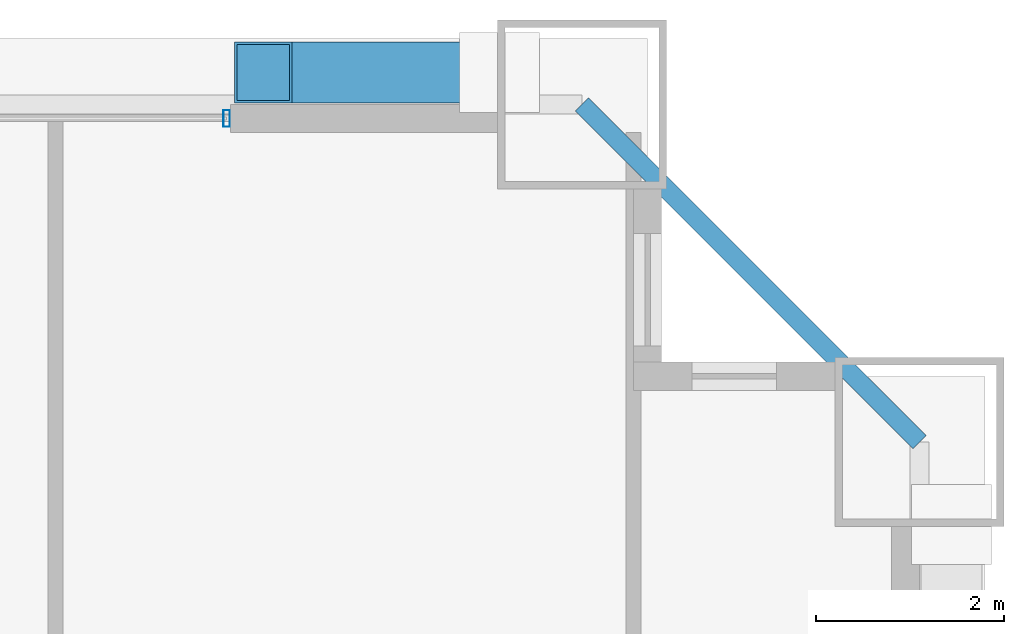
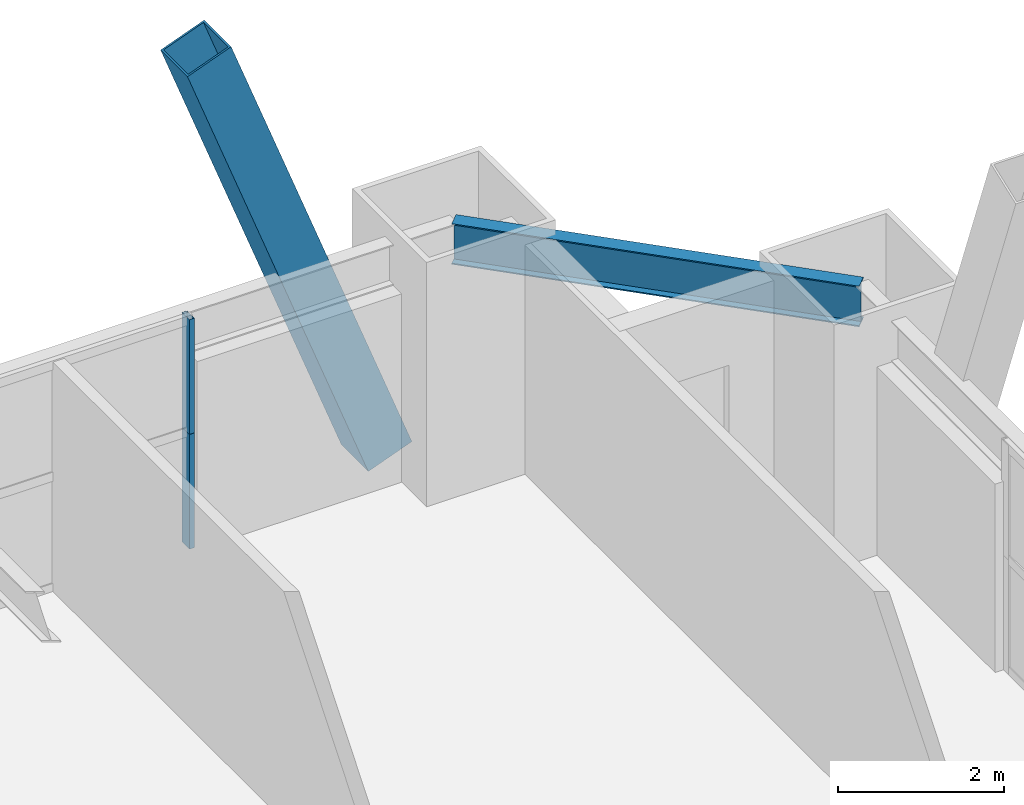
# One storey, part 37 of 43: 3 members, 1 beam, 1 element without a shape of its own.
"""IFC4 building model written with IfcOpenShell, lengths in metres."""

from ifc_helpers import new_model, si_unit, direction, frame, origin, origin_2d, place, context, subcontext, project, spatial, hollow_rectangle, i_section, extrude, source, transform, mapped, material, layer, layer_set, material_profile, profile_set, type_object, element, aggregate, save


model = new_model("IFC4")

# Units and contexts
model_context = context("Model", 3, precision=1e-05, world=origin(), true_north=direction((0.0, 1.0)))
body_context = subcontext(model_context, "Body", "Model", "MODEL_VIEW")
ifc_project = project(units=[si_unit("LENGTHUNIT", "METRE"), si_unit("AREAUNIT", "SQUARE_METRE"), si_unit("VOLUMEUNIT", "CUBIC_METRE"), si_unit("PLANEANGLEUNIT", "RADIAN"), si_unit("MASSUNIT", "GRAM", prefix="KILO"), si_unit("THERMODYNAMICTEMPERATUREUNIT", "KELVIN"), si_unit("POWERUNIT", "WATT")], contexts=[model_context])

# Site, building, storey
site_placement = place(None, origin())
site = spatial("IfcSite", under=ifc_project, at=site_placement, CompositionType="ELEMENT")
building_placement = place(site_placement, origin())
building = spatial("IfcBuilding", under=site, at=building_placement, Name="Yuzanri Waterfront Tower", CompositionType="ELEMENT")
storey_placement = place(building_placement, frame((0.0, 0.0, 46.0)))
storey = spatial("IfcBuildingStorey", under=building, at=storey_placement, Name="L11", CompositionType="ELEMENT", Elevation=46.0)

# Beam
ifc_material_1 = material(Name="Steel Q355B", Category="steel")
ifc_material_profile_1 = material_profile(ifc_material_1, i_section(OverallWidth=0.199951171875, OverallDepth=0.60009765625, WebThickness=0.010986328125, FlangeThickness=0.01708984375, at=origin_2d()), Name="HN 600x200x11x17")
ifc_profile_set_1 = profile_set([ifc_material_profile_1], Name="Steel Q355B")
beam_type = type_object("IfcBeamType", Name="Perimeter Spandrel Q355B HN 600x200", PredefinedType="SPANDREL", material=ifc_profile_set_1)
shared_shape_1 = source(origin(), body_context, "Body", "SweptSolid", [
    extrude(i_section(OverallWidth=0.199951171875, OverallDepth=0.60009765625, WebThickness=0.010986328125, FlangeThickness=0.01708984375, at=origin_2d()), origin(), (0.0, 0.0, 1.0), 5.091064453125),
])
beam_placement = place(storey_placement, frame((62.10009765625, 47.300048828125, 3.080078125), z_axis=(-0.707130757816, 0.707082803744, 0.0), x_axis=(-0.707082803744, -0.707130757816, 0.0)))
element("IfcBeam", 1, at=beam_placement, inside=storey, type_object=beam_type, Name="L11 Perimeter Spandrel E3-N3", PredefinedType="SPANDREL", context=body_context, shape_type="MappedRepresentation", body=[
    mapped(shared_shape_1, transform((0.0, 0.0, 0.0), scale=1.0)),
])

# Member
ifc_material_2 = material(Name="Steel Q420GJC", Category="steel")
ifc_material_profile_2 = material_profile(ifc_material_2, hollow_rectangle(XDim=0.64990234375, YDim=0.64990234375, WallThickness=0.028076171875, at=origin_2d()), Name="RHS 650x650x28")
ifc_profile_set_2 = profile_set([ifc_material_profile_2], Name="Steel Q420GJC")
member_type_1 = type_object("IfcMemberType", Name="Mega Brace Lower Q420GJC RHS 650x650x28", PredefinedType="BRACE", material=ifc_profile_set_2)
shared_shape_2 = source(origin(), body_context, "Body", "SweptSolid", [
    extrude(hollow_rectangle(XDim=0.64990234375, YDim=0.64990234375, WallThickness=0.028076171875, at=origin_2d()), origin(), (0.0, 0.0, 1.0), 7.158203125),
])
member_1_placement = place(storey_placement, frame((57.6201171875, 51.239990234375, 0.179931640625), z_axis=(-0.352046480343, 0.0, 0.935982518896), x_axis=(0.0, -1.0, 0.0)))
element("IfcMember", 2, at=member_1_placement, inside=storey, type_object=member_type_1, Name="L11-L12 Perimeter Mega-Brace N-R", PredefinedType="BRACE", context=body_context, shape_type="MappedRepresentation", body=[
    mapped(shared_shape_2, transform((0.0, 0.0, 0.0), scale=1.0)),
])

# Curtain wall, members
ifc_material_3 = material(Name="Anodized Architectural Bronze", Category="metal")
ifc_layer = layer(ifc_material_3, 0.159912109375)
ifc_layer_set = layer_set([ifc_layer], Name="Anodized Architectural Bronze")
curtain_wall_type = type_object("IfcCurtainWallType", Name="Anodized Bronze Hotel Lower-Tier Recessed Unitized Curtain Wall 8100", PredefinedType="NOTDEFINED", material=ifc_layer_set)
curtain_wall_placement = place(storey_placement, origin())
curtain_wall = element("IfcCurtainWall", 3, at=curtain_wall_placement, inside=storey, type_object=curtain_wall_type, Name="L11 Curtain Wall CW-L11-NR", PredefinedType="NOTDEFINED")
ifc_material_4 = material(Name="Anodized Architectural Bronze", Category="metal")
ifc_material_profile_3 = material_profile(ifc_material_4, hollow_rectangle(XDim=0.070068359375, YDim=0.179931640625, WallThickness=0.00390625, at=origin_2d()), Name="CWM 70x180")
ifc_profile_set_3 = profile_set([ifc_material_profile_3], Name="Anodized Architectural Bronze")
member_type_2 = type_object("IfcMemberType", Name="Anodized Bronze Standard Curtain-Wall Mullion 70x180", PredefinedType="MULLION", material=ifc_profile_set_3)
shared_shape_3 = source(origin(), body_context, "Body", "SweptSolid", [
    extrude(hollow_rectangle(XDim=0.070068359375, YDim=0.179931640625, WallThickness=0.00390625, at=origin_2d()), origin(), (0.0, 0.0, 1.0), 1.68798828125),
])
member_2_placement = place(storey_placement, frame((54.7099609375, 50.75, 0.0), z_axis=(0.0, 0.0, 1.0), x_axis=(1.0, 0.0, 0.0)))
member_2 = element("IfcMember", 4, at=member_2_placement, type_object=member_type_2, Name="CW-L11-NR Lower Mullion 02", PredefinedType="MULLION", context=body_context, shape_type="MappedRepresentation", body=[
    mapped(shared_shape_3, transform((0.0, 0.0, 0.0), scale=1.0)),
])
member_3_placement = place(storey_placement, frame((54.7099609375, 50.75, 1.69189453125), z_axis=(0.0, 0.0, 1.0), x_axis=(1.0, 0.0, 0.0)))
member_3 = element("IfcMember", 5, at=member_3_placement, type_object=member_type_2, Name="CW-L11-NR Upper Mullion 02", PredefinedType="MULLION", context=body_context, shape_type="MappedRepresentation", body=[
    mapped(shared_shape_3, transform((0.0, 0.0, 0.0), scale=1.0)),
])
aggregate(curtain_wall, [member_2, member_3])

save(model, "model.ifc")
